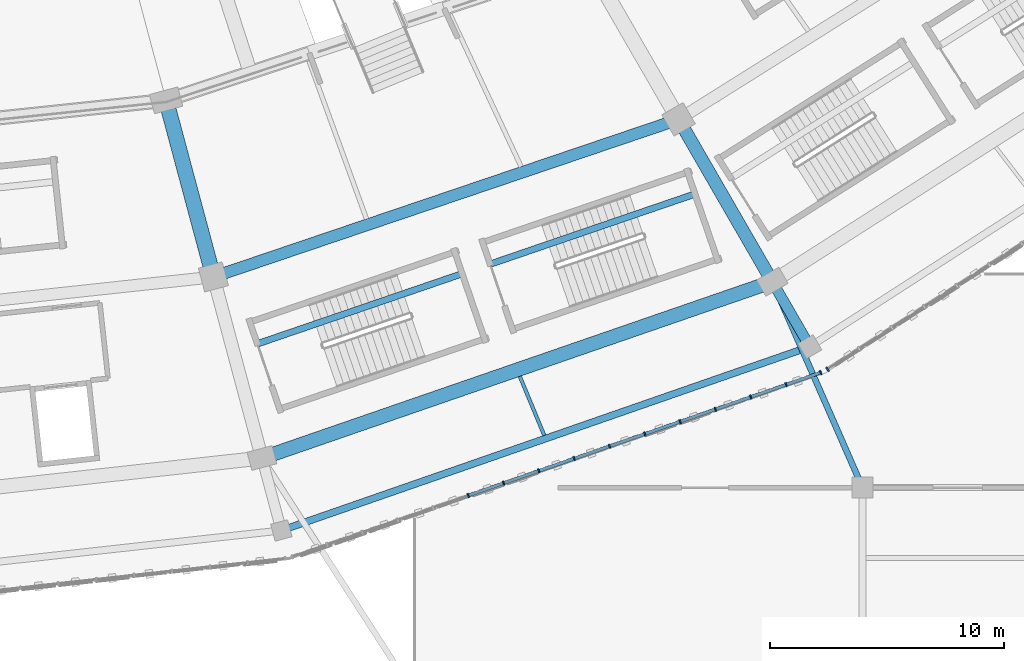
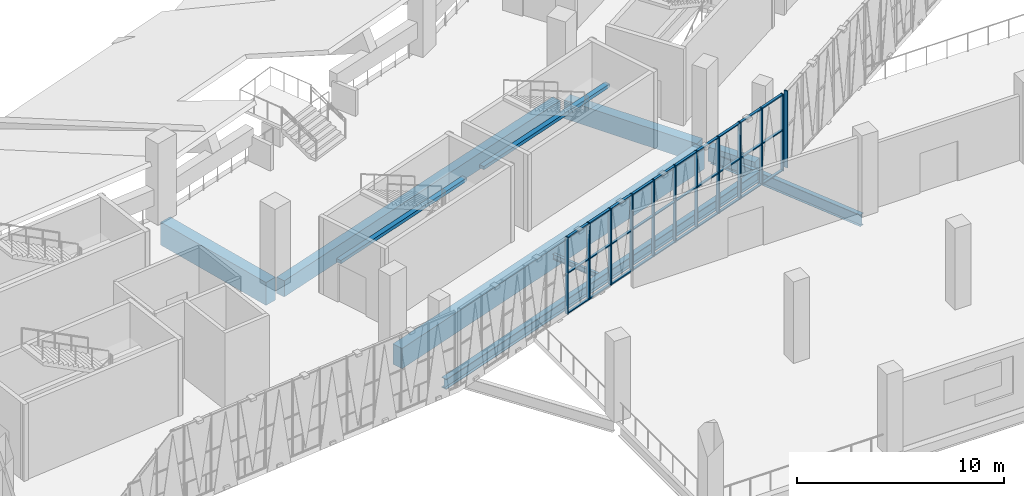
# One storey, part 28 of 183: 42 members, 10 beams, 2 elements without a shape of their own.
"""IFC4 building model written with IfcOpenShell, lengths in metres."""

from ifc_helpers import new_model, si_unit, direction, frame, origin, origin_2d, place, context, subcontext, project, spatial, rectangle, i_section, extrude, material, material_profile, profile_set, type_object, element, aggregate, save


model = new_model("IFC4")

# Units and contexts
model_context = context("Model", 3, precision=1e-05, world=origin(), true_north=direction((0.0, 1.0)))
body_context = subcontext(model_context, "Body", "Model", "MODEL_VIEW")
ifc_project = project(units=[si_unit("LENGTHUNIT", "METRE"), si_unit("AREAUNIT", "SQUARE_METRE"), si_unit("VOLUMEUNIT", "CUBIC_METRE"), si_unit("PLANEANGLEUNIT", "RADIAN"), si_unit("MASSUNIT", "GRAM", prefix="KILO")], contexts=[model_context])

# Site, building, storey
site_placement = place(None, origin())
site = spatial("IfcSite", under=ifc_project, at=site_placement, CompositionType="ELEMENT")
building_placement = place(site_placement, origin())
building = spatial("IfcBuilding", under=site, at=building_placement, Name="Zevraka Park Crest Stadium", CompositionType="ELEMENT")
storey_placement = place(building_placement, frame((0.0, 0.0, 5.39990234375)))
storey = spatial("IfcBuildingStorey", under=building, at=storey_placement, Name="L01", CompositionType="ELEMENT", Elevation=5.39990234375)

# Beams
ifc_material_1 = material(Name="Concrete C40/50", Category="concrete")
ifc_material_profile_1 = material_profile(ifc_material_1, rectangle(XDim=0.64990234375, YDim=1.35009765625, at=origin_2d()), Name="RC 1350x650")
ifc_profile_set_1 = profile_set([ifc_material_profile_1], Name="Concrete C40/50")
beam_type_1 = type_object("IfcBeamType", Name="BG01", PredefinedType="BEAM", material=ifc_profile_set_1)
beam_1_placement = place(storey_placement, frame((131.360107421875, 34.237060546875, -0.684814453125), z_axis=(0.258747385792, -0.965945024495, 0.0), x_axis=(0.965945024495, 0.258747385792, 0.0)))
element("IfcBeam", 1, at=beam_1_placement, inside=storey, type_object=beam_type_1, Name="Radial Girder BG01 L01-BC-19", PredefinedType="BEAM", context=body_context, shape_type="SweptSolid", body=[
    extrude(rectangle(XDim=0.64990234375, YDim=1.35009765625, at=origin_2d()), origin(), (0.0, 0.0, 1.0), 7.19921875),
])
ifc_material_2 = material(Name="Concrete C40/50", Category="concrete")
ifc_material_profile_2 = material_profile(ifc_material_2, rectangle(XDim=0.550048828125, YDim=1.10009765625, at=origin_2d()), Name="RC 1100x550")
ifc_profile_set_2 = profile_set([ifc_material_profile_2], Name="Concrete C40/50")
beam_type_2 = type_object("IfcBeamType", Name="BG02", PredefinedType="BEAM", material=ifc_profile_set_2)
beam_2_placement = place(storey_placement, frame((153.300048828125, 33.4560546875, -0.559814453125), z_axis=(0.500031859608, -0.86600700885, 0.0), x_axis=(0.86600700885, 0.500031859608, 0.0)))
element("IfcBeam", 2, at=beam_2_placement, inside=storey, type_object=beam_type_2, Name="Radial Girder BG02 L01-CD-20", PredefinedType="BEAM", context=body_context, shape_type="SweptSolid", body=[
    extrude(rectangle(XDim=0.550048828125, YDim=1.10009765625, at=origin_2d()), origin(), (0.0, 0.0, 1.0), 7.3994140625),
])
ifc_material_3 = material(Name="Concrete C40/50", Category="concrete")
ifc_material_profile_3 = material_profile(ifc_material_3, rectangle(XDim=0.449951171875, YDim=0.85009765625, at=origin_2d()), Name="RC 850x450")
ifc_profile_set_3 = profile_set([ifc_material_profile_3], Name="Concrete C40/50")
beam_type_3 = type_object("IfcBeamType", Name="BG03", PredefinedType="BEAM", material=ifc_profile_set_3)
beam_3_placement = place(storey_placement, frame((157.300048828125, 26.528076171875, -0.434814453125), z_axis=(0.500128937424, -0.865950948929, 0.0), x_axis=(0.865950948929, 0.500128937424, 0.0)))
element("IfcBeam", 3, at=beam_3_placement, inside=storey, type_object=beam_type_3, Name="Radial Girder BG03 L01-DE-20", PredefinedType="BEAM", context=body_context, shape_type="SweptSolid", body=[
    extrude(rectangle(XDim=0.449951171875, YDim=0.85009765625, at=origin_2d()), origin(), (0.0, 0.0, 1.0), 2.599365234375),
])
ifc_material_4 = material(Name="Steel S355", Category="steel")
ifc_material_profile_4 = material_profile(ifc_material_4, i_section(OverallWidth=0.253662109375, OverallDepth=0.68359375, WebThickness=0.012451171875, FlangeThickness=0.01904296875, at=origin_2d()), Name="UKB 686x254x140")
ifc_profile_set_4 = profile_set([ifc_material_profile_4], Name="Steel S355")
beam_type_4 = type_object("IfcBeamType", Name="BG05", PredefinedType="BEAM", material=ifc_profile_set_4)
beam_4_placement = place(storey_placement, frame((160.919921875, 18.18310546875, -0.649658203125), z_axis=(-0.401335913167, 0.915930938883, 0.0), x_axis=(-0.915930938883, -0.401335913167, 0.0)))
element("IfcBeam", 4, at=beam_4_placement, inside=storey, type_object=beam_type_4, Name="Wing Link Girder BG05 L01-18/C", PredefinedType="BEAM", context=body_context, shape_type="SweptSolid", body=[
    extrude(i_section(OverallWidth=0.253662109375, OverallDepth=0.68359375, WebThickness=0.012451171875, FlangeThickness=0.01904296875, at=origin_2d()), origin(), (0.0, 0.0, 1.0), 9.0146484375),
])

# Curtain wall, members
ifc_material_5 = material(Name="Anodised architectural aluminium and laminated safety glass", Category="aluminium")
curtain_wall_type_1 = type_object("IfcCurtainWallType", Name="CW02", PredefinedType="NOTDEFINED", material=ifc_material_5)
curtain_wall_1_placement = place(storey_placement, origin())
curtain_wall_1 = element("IfcCurtainWall", 5, at=curtain_wall_1_placement, inside=storey, type_object=curtain_wall_type_1, Name="Unitised Ring Curtain Wall CW02 L01-19", PredefinedType="NOTDEFINED")
ifc_material_6 = material(Name="Anodised architectural aluminium", Category="aluminium")
ifc_material_profile_5 = material_profile(ifc_material_6, rectangle(XDim=0.179931640625, YDim=0.06494140625, at=origin_2d()), Name="ALU MULLION 180x65")
ifc_profile_set_5 = profile_set([ifc_material_profile_5], Name="Anodised architectural aluminium")
member_type_1 = type_object("IfcMemberType", Name="CM02", PredefinedType="MULLION", material=ifc_profile_set_5)
member_1_placement = place(storey_placement, frame((144.175048828125, 17.667236328125, 0.0), z_axis=(0.0, 0.0, 1.0), x_axis=(-0.329209289879, 0.944256979565, 0.0)))
member_1 = element("IfcMember", 6, at=member_1_placement, type_object=member_type_1, Name="CW02 mullion 6", PredefinedType="MULLION", context=body_context, shape_type="SweptSolid", body=[
    extrude(rectangle(XDim=0.179931640625, YDim=0.06494140625, at=origin_2d()), origin(), (0.0, 0.0, 1.0), 4.52001953125),
])
member_2_placement = place(storey_placement, frame((145.681640625, 18.192626953125, 0.0), z_axis=(0.0, 0.0, 1.0), x_axis=(-0.329209289879, 0.944256979565, 0.0)))
member_2 = element("IfcMember", 7, at=member_2_placement, type_object=member_type_1, Name="CW02 mullion 7", PredefinedType="MULLION", context=body_context, shape_type="SweptSolid", body=[
    extrude(rectangle(XDim=0.179931640625, YDim=0.06494140625, at=origin_2d()), origin(), (0.0, 0.0, 1.0), 4.52001953125),
])
member_3_placement = place(storey_placement, frame((147.188232421875, 18.7177734375, 0.0), z_axis=(0.0, 0.0, 1.0), x_axis=(-0.329209289879, 0.944256979565, 0.0)))
member_3 = element("IfcMember", 8, at=member_3_placement, type_object=member_type_1, Name="CW02 mullion 8", PredefinedType="MULLION", context=body_context, shape_type="SweptSolid", body=[
    extrude(rectangle(XDim=0.179931640625, YDim=0.06494140625, at=origin_2d()), origin(), (0.0, 0.0, 1.0), 4.52001953125),
])
member_4_placement = place(storey_placement, frame((148.69482421875, 19.2431640625, 0.0), z_axis=(0.0, 0.0, 1.0), x_axis=(-0.329209289879, 0.944256979565, 0.0)))
member_4 = element("IfcMember", 9, at=member_4_placement, type_object=member_type_1, Name="CW02 mullion 9", PredefinedType="MULLION", context=body_context, shape_type="SweptSolid", body=[
    extrude(rectangle(XDim=0.179931640625, YDim=0.06494140625, at=origin_2d()), origin(), (0.0, 0.0, 1.0), 4.52001953125),
])
member_5_placement = place(storey_placement, frame((150.201416015625, 19.768310546875, 0.0), z_axis=(0.0, 0.0, 1.0), x_axis=(-0.329209289879, 0.944256979565, 0.0)))
member_5 = element("IfcMember", 10, at=member_5_placement, type_object=member_type_1, Name="CW02 mullion 10", PredefinedType="MULLION", context=body_context, shape_type="SweptSolid", body=[
    extrude(rectangle(XDim=0.179931640625, YDim=0.06494140625, at=origin_2d()), origin(), (0.0, 0.0, 1.0), 4.52001953125),
])
member_6_placement = place(storey_placement, frame((151.7080078125, 20.293701171875, 0.0), z_axis=(0.0, 0.0, 1.0), x_axis=(-0.329209289879, 0.944256979565, 0.0)))
member_6 = element("IfcMember", 11, at=member_6_placement, type_object=member_type_1, Name="CW02 mullion 11", PredefinedType="MULLION", context=body_context, shape_type="SweptSolid", body=[
    extrude(rectangle(XDim=0.179931640625, YDim=0.06494140625, at=origin_2d()), origin(), (0.0, 0.0, 1.0), 4.52001953125),
])
member_7_placement = place(storey_placement, frame((153.214599609375, 20.81884765625, 0.0), z_axis=(0.0, 0.0, 1.0), x_axis=(-0.329209289879, 0.944256979565, 0.0)))
member_7 = element("IfcMember", 12, at=member_7_placement, type_object=member_type_1, Name="CW02 mullion 12", PredefinedType="MULLION", context=body_context, shape_type="SweptSolid", body=[
    extrude(rectangle(XDim=0.179931640625, YDim=0.06494140625, at=origin_2d()), origin(), (0.0, 0.0, 1.0), 4.52001953125),
])
member_8_placement = place(storey_placement, frame((154.72119140625, 21.34423828125, 0.0), z_axis=(0.0, 0.0, 1.0), x_axis=(-0.329209289879, 0.944256979565, 0.0)))
member_8 = element("IfcMember", 13, at=member_8_placement, type_object=member_type_1, Name="CW02 mullion 13", PredefinedType="MULLION", context=body_context, shape_type="SweptSolid", body=[
    extrude(rectangle(XDim=0.179931640625, YDim=0.06494140625, at=origin_2d()), origin(), (0.0, 0.0, 1.0), 4.52001953125),
])
member_9_placement = place(storey_placement, frame((156.227783203125, 21.869384765625, 0.0), z_axis=(0.0, 0.0, 1.0), x_axis=(-0.329209289879, 0.944256979565, 0.0)))
member_9 = element("IfcMember", 14, at=member_9_placement, type_object=member_type_1, Name="CW02 mullion 14", PredefinedType="MULLION", context=body_context, shape_type="SweptSolid", body=[
    extrude(rectangle(XDim=0.179931640625, YDim=0.06494140625, at=origin_2d()), origin(), (0.0, 0.0, 1.0), 4.52001953125),
])
member_10_placement = place(storey_placement, frame((157.734375, 22.394775390625, 0.0), z_axis=(0.0, 0.0, 1.0), x_axis=(-0.329209289879, 0.944256979565, 0.0)))
member_10 = element("IfcMember", 15, at=member_10_placement, type_object=member_type_1, Name="CW02 mullion 15", PredefinedType="MULLION", context=body_context, shape_type="SweptSolid", body=[
    extrude(rectangle(XDim=0.179931640625, YDim=0.06494140625, at=origin_2d()), origin(), (0.0, 0.0, 1.0), 4.52001953125),
])
member_11_placement = place(storey_placement, frame((159.210205078125, 22.9091796875, 0.0), z_axis=(0.0, 0.0, 1.0), x_axis=(-0.329209289879, 0.944256979565, 0.0)))
member_11 = element("IfcMember", 16, at=member_11_placement, type_object=member_type_1, Name="CW02 mullion 16", PredefinedType="MULLION", context=body_context, shape_type="SweptSolid", body=[
    extrude(rectangle(XDim=0.179931640625, YDim=0.06494140625, at=origin_2d()), origin(), (0.0, 0.0, 1.0), 4.52001953125),
])

# Curtain wall, member
ifc_material_7 = material(Name="Anodised architectural aluminium and laminated safety glass", Category="aluminium")
curtain_wall_type_2 = type_object("IfcCurtainWallType", Name="CW03", PredefinedType="NOTDEFINED", material=ifc_material_7)
curtain_wall_2_placement = place(storey_placement, origin())
curtain_wall_2 = element("IfcCurtainWall", 17, at=curtain_wall_2_placement, inside=storey, type_object=curtain_wall_type_2, Name="Unitised Ring Curtain Wall CW03 L01-20", PredefinedType="NOTDEFINED")
ifc_material_8 = material(Name="Anodised architectural aluminium", Category="aluminium")
ifc_material_profile_6 = material_profile(ifc_material_8, rectangle(XDim=0.199951171875, YDim=0.070068359375, at=origin_2d()), Name="ALU MULLION 200x70")
ifc_profile_set_6 = profile_set([ifc_material_profile_6], Name="Anodised architectural aluminium")
member_type_2 = type_object("IfcMemberType", Name="CM03", PredefinedType="MULLION", material=ifc_profile_set_6)
member_12_placement = place(storey_placement, frame((159.50341796875, 23.052978515625, 0.0), z_axis=(0.0, 0.0, 1.0), x_axis=(-0.542570628938, 0.840010186018, 0.0)))
member_12 = element("IfcMember", 18, at=member_12_placement, type_object=member_type_2, Name="CW03 mullion 1", PredefinedType="MULLION", context=body_context, shape_type="SweptSolid", body=[
    extrude(rectangle(XDim=0.199951171875, YDim=0.070068359375, at=origin_2d()), origin(), (0.0, 0.0, 1.0), 4.52001953125),
])
aggregate(curtain_wall_2, [member_12])

# Member
ifc_material_9 = material(Name="Anodised architectural aluminium", Category="aluminium")
ifc_material_profile_7 = material_profile(ifc_material_9, rectangle(XDim=0.139892578125, YDim=0.06494140625, at=origin_2d()), Name="ALU TRANSOM 140x65")
ifc_profile_set_7 = profile_set([ifc_material_profile_7], Name="Anodised architectural aluminium")
member_type_3 = type_object("IfcMemberType", Name="CT02", PredefinedType="USERDEFINED", material=ifc_profile_set_7)
member_13_placement = place(storey_placement, frame((144.20556640625, 17.677978515625, 0.03271484375), z_axis=(0.944255540278, 0.329213418097, 0.0), x_axis=(-0.329213418097, 0.944255540278, 0.0)))
member_13 = element("IfcMember", 19, at=member_13_placement, type_object=member_type_3, Name="CW02 transom 6.1", ObjectType="TRANSOM", PredefinedType="USERDEFINED", context=body_context, shape_type="SweptSolid", body=[
    extrude(rectangle(XDim=0.139892578125, YDim=0.06494140625, at=origin_2d()), origin(), (0.0, 0.0, 1.0), 1.530517578125),
])

member_14_placement = place(storey_placement, frame((144.20556640625, 17.677978515625, 2.400146484375), z_axis=(0.944255540278, 0.329213418097, 0.0), x_axis=(-0.329213418097, 0.944255540278, 0.0)))
member_14 = element("IfcMember", 20, at=member_14_placement, type_object=member_type_3, Name="CW02 transom 6.2", ObjectType="TRANSOM", PredefinedType="USERDEFINED", context=body_context, shape_type="SweptSolid", body=[
    extrude(rectangle(XDim=0.139892578125, YDim=0.06494140625, at=origin_2d()), origin(), (0.0, 0.0, 1.0), 1.530517578125),
])

member_15_placement = place(storey_placement, frame((144.20556640625, 17.677978515625, 4.487548828125), z_axis=(0.944255540278, 0.329213418097, 0.0), x_axis=(-0.329213418097, 0.944255540278, 0.0)))
member_15 = element("IfcMember", 21, at=member_15_placement, type_object=member_type_3, Name="CW02 transom 6.3", ObjectType="TRANSOM", PredefinedType="USERDEFINED", context=body_context, shape_type="SweptSolid", body=[
    extrude(rectangle(XDim=0.139892578125, YDim=0.06494140625, at=origin_2d()), origin(), (0.0, 0.0, 1.0), 1.530517578125),
])

member_16_placement = place(storey_placement, frame((145.71240234375, 18.203369140625, 0.03271484375), z_axis=(0.944238249242, 0.329263008352, 0.0), x_axis=(-0.329263008352, 0.944238249242, 0.0)))
member_16 = element("IfcMember", 22, at=member_16_placement, type_object=member_type_3, Name="CW02 transom 7.1", ObjectType="TRANSOM", PredefinedType="USERDEFINED", context=body_context, shape_type="SweptSolid", body=[
    extrude(rectangle(XDim=0.139892578125, YDim=0.06494140625, at=origin_2d()), origin(), (0.0, 0.0, 1.0), 1.530517578125),
])

member_17_placement = place(storey_placement, frame((145.71240234375, 18.203369140625, 2.400146484375), z_axis=(0.944238249242, 0.329263008352, 0.0), x_axis=(-0.329263008352, 0.944238249242, 0.0)))
member_17 = element("IfcMember", 23, at=member_17_placement, type_object=member_type_3, Name="CW02 transom 7.2", ObjectType="TRANSOM", PredefinedType="USERDEFINED", context=body_context, shape_type="SweptSolid", body=[
    extrude(rectangle(XDim=0.139892578125, YDim=0.06494140625, at=origin_2d()), origin(), (0.0, 0.0, 1.0), 1.530517578125),
])

member_18_placement = place(storey_placement, frame((145.71240234375, 18.203369140625, 4.487548828125), z_axis=(0.944238249242, 0.329263008352, 0.0), x_axis=(-0.329263008352, 0.944238249242, 0.0)))
member_18 = element("IfcMember", 24, at=member_18_placement, type_object=member_type_3, Name="CW02 transom 7.3", ObjectType="TRANSOM", PredefinedType="USERDEFINED", context=body_context, shape_type="SweptSolid", body=[
    extrude(rectangle(XDim=0.139892578125, YDim=0.06494140625, at=origin_2d()), origin(), (0.0, 0.0, 1.0), 1.530517578125),
])

member_19_placement = place(storey_placement, frame((147.218994140625, 18.728515625, 0.03271484375), z_axis=(0.944238249242, 0.329263008352, 0.0), x_axis=(-0.329263008352, 0.944238249242, 0.0)))
member_19 = element("IfcMember", 25, at=member_19_placement, type_object=member_type_3, Name="CW02 transom 8.1", ObjectType="TRANSOM", PredefinedType="USERDEFINED", context=body_context, shape_type="SweptSolid", body=[
    extrude(rectangle(XDim=0.139892578125, YDim=0.06494140625, at=origin_2d()), origin(), (0.0, 0.0, 1.0), 1.530517578125),
])

member_20_placement = place(storey_placement, frame((147.218994140625, 18.728515625, 2.400146484375), z_axis=(0.944238249242, 0.329263008352, 0.0), x_axis=(-0.329263008352, 0.944238249242, 0.0)))
member_20 = element("IfcMember", 26, at=member_20_placement, type_object=member_type_3, Name="CW02 transom 8.2", ObjectType="TRANSOM", PredefinedType="USERDEFINED", context=body_context, shape_type="SweptSolid", body=[
    extrude(rectangle(XDim=0.139892578125, YDim=0.06494140625, at=origin_2d()), origin(), (0.0, 0.0, 1.0), 1.530517578125),
])

member_21_placement = place(storey_placement, frame((147.218994140625, 18.728515625, 4.487548828125), z_axis=(0.944238249242, 0.329263008352, 0.0), x_axis=(-0.329263008352, 0.944238249242, 0.0)))
member_21 = element("IfcMember", 27, at=member_21_placement, type_object=member_type_3, Name="CW02 transom 8.3", ObjectType="TRANSOM", PredefinedType="USERDEFINED", context=body_context, shape_type="SweptSolid", body=[
    extrude(rectangle(XDim=0.139892578125, YDim=0.06494140625, at=origin_2d()), origin(), (0.0, 0.0, 1.0), 1.530517578125),
])

member_22_placement = place(storey_placement, frame((148.7255859375, 19.25390625, 0.03271484375), z_axis=(0.944238249242, 0.329263008352, 0.0), x_axis=(-0.329263008352, 0.944238249242, 0.0)))
member_22 = element("IfcMember", 28, at=member_22_placement, type_object=member_type_3, Name="CW02 transom 9.1", ObjectType="TRANSOM", PredefinedType="USERDEFINED", context=body_context, shape_type="SweptSolid", body=[
    extrude(rectangle(XDim=0.139892578125, YDim=0.06494140625, at=origin_2d()), origin(), (0.0, 0.0, 1.0), 1.530517578125),
])

member_23_placement = place(storey_placement, frame((148.7255859375, 19.25390625, 2.400146484375), z_axis=(0.944238249242, 0.329263008352, 0.0), x_axis=(-0.329263008352, 0.944238249242, 0.0)))
member_23 = element("IfcMember", 29, at=member_23_placement, type_object=member_type_3, Name="CW02 transom 9.2", ObjectType="TRANSOM", PredefinedType="USERDEFINED", context=body_context, shape_type="SweptSolid", body=[
    extrude(rectangle(XDim=0.139892578125, YDim=0.06494140625, at=origin_2d()), origin(), (0.0, 0.0, 1.0), 1.530517578125),
])

member_24_placement = place(storey_placement, frame((148.7255859375, 19.25390625, 4.487548828125), z_axis=(0.944238249242, 0.329263008352, 0.0), x_axis=(-0.329263008352, 0.944238249242, 0.0)))
member_24 = element("IfcMember", 30, at=member_24_placement, type_object=member_type_3, Name="CW02 transom 9.3", ObjectType="TRANSOM", PredefinedType="USERDEFINED", context=body_context, shape_type="SweptSolid", body=[
    extrude(rectangle(XDim=0.139892578125, YDim=0.06494140625, at=origin_2d()), origin(), (0.0, 0.0, 1.0), 1.530517578125),
])

member_25_placement = place(storey_placement, frame((150.232177734375, 19.779052734375, 0.03271484375), z_axis=(0.944238249242, 0.329263008352, 0.0), x_axis=(-0.329263008352, 0.944238249242, 0.0)))
member_25 = element("IfcMember", 31, at=member_25_placement, type_object=member_type_3, Name="CW02 transom 10.1", ObjectType="TRANSOM", PredefinedType="USERDEFINED", context=body_context, shape_type="SweptSolid", body=[
    extrude(rectangle(XDim=0.139892578125, YDim=0.06494140625, at=origin_2d()), origin(), (0.0, 0.0, 1.0), 1.530517578125),
])

member_26_placement = place(storey_placement, frame((150.232177734375, 19.779052734375, 2.400146484375), z_axis=(0.944238249242, 0.329263008352, 0.0), x_axis=(-0.329263008352, 0.944238249242, 0.0)))
member_26 = element("IfcMember", 32, at=member_26_placement, type_object=member_type_3, Name="CW02 transom 10.2", ObjectType="TRANSOM", PredefinedType="USERDEFINED", context=body_context, shape_type="SweptSolid", body=[
    extrude(rectangle(XDim=0.139892578125, YDim=0.06494140625, at=origin_2d()), origin(), (0.0, 0.0, 1.0), 1.530517578125),
])

member_27_placement = place(storey_placement, frame((150.232177734375, 19.779052734375, 4.487548828125), z_axis=(0.944238249242, 0.329263008352, 0.0), x_axis=(-0.329263008352, 0.944238249242, 0.0)))
member_27 = element("IfcMember", 33, at=member_27_placement, type_object=member_type_3, Name="CW02 transom 10.3", ObjectType="TRANSOM", PredefinedType="USERDEFINED", context=body_context, shape_type="SweptSolid", body=[
    extrude(rectangle(XDim=0.139892578125, YDim=0.06494140625, at=origin_2d()), origin(), (0.0, 0.0, 1.0), 1.530517578125),
])

member_28_placement = place(storey_placement, frame((151.73876953125, 20.304443359375, 0.03271484375), z_axis=(0.944238249242, 0.329263008352, 0.0), x_axis=(-0.329263008352, 0.944238249242, 0.0)))
member_28 = element("IfcMember", 34, at=member_28_placement, type_object=member_type_3, Name="CW02 transom 11.1", ObjectType="TRANSOM", PredefinedType="USERDEFINED", context=body_context, shape_type="SweptSolid", body=[
    extrude(rectangle(XDim=0.139892578125, YDim=0.06494140625, at=origin_2d()), origin(), (0.0, 0.0, 1.0), 1.530517578125),
])

member_29_placement = place(storey_placement, frame((151.73876953125, 20.304443359375, 2.400146484375), z_axis=(0.944238249242, 0.329263008352, 0.0), x_axis=(-0.329263008352, 0.944238249242, 0.0)))
member_29 = element("IfcMember", 35, at=member_29_placement, type_object=member_type_3, Name="CW02 transom 11.2", ObjectType="TRANSOM", PredefinedType="USERDEFINED", context=body_context, shape_type="SweptSolid", body=[
    extrude(rectangle(XDim=0.139892578125, YDim=0.06494140625, at=origin_2d()), origin(), (0.0, 0.0, 1.0), 1.530517578125),
])

member_30_placement = place(storey_placement, frame((151.73876953125, 20.304443359375, 4.487548828125), z_axis=(0.944238249242, 0.329263008352, 0.0), x_axis=(-0.329263008352, 0.944238249242, 0.0)))
member_30 = element("IfcMember", 36, at=member_30_placement, type_object=member_type_3, Name="CW02 transom 11.3", ObjectType="TRANSOM", PredefinedType="USERDEFINED", context=body_context, shape_type="SweptSolid", body=[
    extrude(rectangle(XDim=0.139892578125, YDim=0.06494140625, at=origin_2d()), origin(), (0.0, 0.0, 1.0), 1.530517578125),
])

member_31_placement = place(storey_placement, frame((153.245361328125, 20.82958984375, 0.03271484375), z_axis=(0.944238249242, 0.329263008352, 0.0), x_axis=(-0.329263008352, 0.944238249242, 0.0)))
member_31 = element("IfcMember", 37, at=member_31_placement, type_object=member_type_3, Name="CW02 transom 12.1", ObjectType="TRANSOM", PredefinedType="USERDEFINED", context=body_context, shape_type="SweptSolid", body=[
    extrude(rectangle(XDim=0.139892578125, YDim=0.06494140625, at=origin_2d()), origin(), (0.0, 0.0, 1.0), 1.530517578125),
])

member_32_placement = place(storey_placement, frame((153.245361328125, 20.82958984375, 2.400146484375), z_axis=(0.944238249242, 0.329263008352, 0.0), x_axis=(-0.329263008352, 0.944238249242, 0.0)))
member_32 = element("IfcMember", 38, at=member_32_placement, type_object=member_type_3, Name="CW02 transom 12.2", ObjectType="TRANSOM", PredefinedType="USERDEFINED", context=body_context, shape_type="SweptSolid", body=[
    extrude(rectangle(XDim=0.139892578125, YDim=0.06494140625, at=origin_2d()), origin(), (0.0, 0.0, 1.0), 1.530517578125),
])

member_33_placement = place(storey_placement, frame((153.245361328125, 20.82958984375, 4.487548828125), z_axis=(0.944238249242, 0.329263008352, 0.0), x_axis=(-0.329263008352, 0.944238249242, 0.0)))
member_33 = element("IfcMember", 39, at=member_33_placement, type_object=member_type_3, Name="CW02 transom 12.3", ObjectType="TRANSOM", PredefinedType="USERDEFINED", context=body_context, shape_type="SweptSolid", body=[
    extrude(rectangle(XDim=0.139892578125, YDim=0.06494140625, at=origin_2d()), origin(), (0.0, 0.0, 1.0), 1.530517578125),
])

member_34_placement = place(storey_placement, frame((154.751953125, 21.35498046875, 0.03271484375), z_axis=(0.944238249242, 0.329263008352, 0.0), x_axis=(-0.329263008352, 0.944238249242, 0.0)))
member_34 = element("IfcMember", 40, at=member_34_placement, type_object=member_type_3, Name="CW02 transom 13.1", ObjectType="TRANSOM", PredefinedType="USERDEFINED", context=body_context, shape_type="SweptSolid", body=[
    extrude(rectangle(XDim=0.139892578125, YDim=0.06494140625, at=origin_2d()), origin(), (0.0, 0.0, 1.0), 1.530517578125),
])

member_35_placement = place(storey_placement, frame((154.751953125, 21.35498046875, 2.400146484375), z_axis=(0.944238249242, 0.329263008352, 0.0), x_axis=(-0.329263008352, 0.944238249242, 0.0)))
member_35 = element("IfcMember", 41, at=member_35_placement, type_object=member_type_3, Name="CW02 transom 13.2", ObjectType="TRANSOM", PredefinedType="USERDEFINED", context=body_context, shape_type="SweptSolid", body=[
    extrude(rectangle(XDim=0.139892578125, YDim=0.06494140625, at=origin_2d()), origin(), (0.0, 0.0, 1.0), 1.530517578125),
])

member_36_placement = place(storey_placement, frame((154.751953125, 21.35498046875, 4.487548828125), z_axis=(0.944238249242, 0.329263008352, 0.0), x_axis=(-0.329263008352, 0.944238249242, 0.0)))
member_36 = element("IfcMember", 42, at=member_36_placement, type_object=member_type_3, Name="CW02 transom 13.3", ObjectType="TRANSOM", PredefinedType="USERDEFINED", context=body_context, shape_type="SweptSolid", body=[
    extrude(rectangle(XDim=0.139892578125, YDim=0.06494140625, at=origin_2d()), origin(), (0.0, 0.0, 1.0), 1.530517578125),
])

member_37_placement = place(storey_placement, frame((156.258544921875, 21.880126953125, 0.03271484375), z_axis=(0.944238249242, 0.329263008352, 0.0), x_axis=(-0.329263008352, 0.944238249242, 0.0)))
member_37 = element("IfcMember", 43, at=member_37_placement, type_object=member_type_3, Name="CW02 transom 14.1", ObjectType="TRANSOM", PredefinedType="USERDEFINED", context=body_context, shape_type="SweptSolid", body=[
    extrude(rectangle(XDim=0.139892578125, YDim=0.06494140625, at=origin_2d()), origin(), (0.0, 0.0, 1.0), 1.530517578125),
])

member_38_placement = place(storey_placement, frame((156.258544921875, 21.880126953125, 2.400146484375), z_axis=(0.944238249242, 0.329263008352, 0.0), x_axis=(-0.329263008352, 0.944238249242, 0.0)))
member_38 = element("IfcMember", 44, at=member_38_placement, type_object=member_type_3, Name="CW02 transom 14.2", ObjectType="TRANSOM", PredefinedType="USERDEFINED", context=body_context, shape_type="SweptSolid", body=[
    extrude(rectangle(XDim=0.139892578125, YDim=0.06494140625, at=origin_2d()), origin(), (0.0, 0.0, 1.0), 1.530517578125),
])

member_39_placement = place(storey_placement, frame((156.258544921875, 21.880126953125, 4.487548828125), z_axis=(0.944238249242, 0.329263008352, 0.0), x_axis=(-0.329263008352, 0.944238249242, 0.0)))
member_39 = element("IfcMember", 45, at=member_39_placement, type_object=member_type_3, Name="CW02 transom 14.3", ObjectType="TRANSOM", PredefinedType="USERDEFINED", context=body_context, shape_type="SweptSolid", body=[
    extrude(rectangle(XDim=0.139892578125, YDim=0.06494140625, at=origin_2d()), origin(), (0.0, 0.0, 1.0), 1.530517578125),
])

member_40_placement = place(storey_placement, frame((157.76513671875, 22.405517578125, 0.03271484375), z_axis=(0.944259100234, 0.329203207192, 0.0), x_axis=(-0.329203207192, 0.944259100234, 0.0)))
member_40 = element("IfcMember", 46, at=member_40_placement, type_object=member_type_3, Name="CW02 transom 15.1", ObjectType="TRANSOM", PredefinedType="USERDEFINED", context=body_context, shape_type="SweptSolid", body=[
    extrude(rectangle(XDim=0.139892578125, YDim=0.06494140625, at=origin_2d()), origin(), (0.0, 0.0, 1.0), 1.498046875),
])

member_41_placement = place(storey_placement, frame((157.76513671875, 22.405517578125, 2.400146484375), z_axis=(0.944259100234, 0.329203207192, 0.0), x_axis=(-0.329203207192, 0.944259100234, 0.0)))
member_41 = element("IfcMember", 47, at=member_41_placement, type_object=member_type_3, Name="CW02 transom 15.2", ObjectType="TRANSOM", PredefinedType="USERDEFINED", context=body_context, shape_type="SweptSolid", body=[
    extrude(rectangle(XDim=0.139892578125, YDim=0.06494140625, at=origin_2d()), origin(), (0.0, 0.0, 1.0), 1.498046875),
])

member_42_placement = place(storey_placement, frame((157.76513671875, 22.405517578125, 4.487548828125), z_axis=(0.944259100234, 0.329203207192, 0.0), x_axis=(-0.329203207192, 0.944259100234, 0.0)))
member_42 = element("IfcMember", 48, at=member_42_placement, type_object=member_type_3, Name="CW02 transom 15.3", ObjectType="TRANSOM", PredefinedType="USERDEFINED", context=body_context, shape_type="SweptSolid", body=[
    extrude(rectangle(XDim=0.139892578125, YDim=0.06494140625, at=origin_2d()), origin(), (0.0, 0.0, 1.0), 1.498046875),
])

aggregate(curtain_wall_1, [member_1, member_2, member_3, member_4, member_5, member_6, member_7, member_8, member_9, member_10, member_11, member_13, member_14, member_15, member_16, member_17, member_18, member_19, member_20, member_21, member_22, member_23, member_24, member_25, member_26, member_27, member_28, member_29, member_30, member_31, member_32, member_33, member_34, member_35, member_36, member_37, member_38, member_39, member_40, member_41, member_42])

# Beams
ifc_material_10 = material(Name="Concrete C40/50", Category="concrete")
ifc_material_profile_8 = material_profile(ifc_material_10, rectangle(XDim=0.60009765625, YDim=1.199951171875, at=origin_2d()), Name="RC 1200x600")
ifc_profile_set_8 = profile_set([ifc_material_profile_8], Name="Concrete C40/50")
beam_type_5 = type_object("IfcBeamType", Name="RB01", PredefinedType="BEAM", material=ifc_profile_set_8)
beam_5_placement = place(storey_placement, frame((135.72998046875, 19.389892578125, -0.60986328125), z_axis=(0.945210431582, 0.326461697644, 0.0), x_axis=(-0.326461697644, 0.945210431582, 0.0)))
element("IfcBeam", 49, at=beam_5_placement, inside=storey, type_object=beam_type_5, Name="Ring Beam RB01 L01-D-19", PredefinedType="BEAM", context=body_context, shape_type="SweptSolid", body=[
    extrude(rectangle(XDim=0.60009765625, YDim=1.199951171875, at=origin_2d()), origin(), (0.0, 0.0, 1.0), 22.28173828125),
])
ifc_material_11 = material(Name="Concrete C40/50", Category="concrete")
ifc_material_profile_9 = material_profile(ifc_material_11, rectangle(XDim=0.5, YDim=0.949951171875, at=origin_2d()), Name="RC 950x500")
ifc_profile_set_9 = profile_set([ifc_material_profile_9], Name="Concrete C40/50")
beam_type_6 = type_object("IfcBeamType", Name="RB02", PredefinedType="BEAM", material=ifc_profile_set_9)
beam_6_placement = place(storey_placement, frame((133.660888671875, 27.114990234375, -0.48486328125), z_axis=(0.947147952377, 0.320797064058, 0.0), x_axis=(-0.320797064058, 0.947147952377, 0.0)))
element("IfcBeam", 50, at=beam_6_placement, inside=storey, type_object=beam_type_6, Name="Ring Beam RB02 L01-C-19", PredefinedType="BEAM", context=body_context, shape_type="SweptSolid", body=[
    extrude(rectangle(XDim=0.5, YDim=0.949951171875, at=origin_2d()), origin(), (0.0, 0.0, 1.0), 20.196533203125),
])
ifc_material_12 = material(Name="Steel S355", Category="steel")
ifc_material_profile_10 = material_profile(ifc_material_12, i_section(OverallWidth=0.300048828125, OverallDepth=0.60009765625, WebThickness=0.015380859375, FlangeThickness=0.030029296875, at=origin_2d()), Name="HEB 600")
ifc_profile_set_10 = profile_set([ifc_material_profile_10], Name="Steel S355")
beam_type_7 = type_object("IfcBeamType", Name="RB03", PredefinedType="BEAM", material=ifc_profile_set_10)
beam_7_placement = place(storey_placement, frame((136.531005859375, 16.2900390625, -0.60498046875), z_axis=(0.944512003331, 0.328476902634, 0.0), x_axis=(-0.328476902634, 0.944512003331, 0.0)))
element("IfcBeam", 51, at=beam_7_placement, inside=storey, type_object=beam_type_7, Name="Ring Beam RB03 L01-E-19", PredefinedType="BEAM", context=body_context, shape_type="SweptSolid", body=[
    extrude(i_section(OverallWidth=0.300048828125, OverallDepth=0.60009765625, WebThickness=0.015380859375, FlangeThickness=0.030029296875, at=origin_2d()), origin(), (0.0, 0.0, 1.0), 23.173828125),
])
ifc_material_13 = material(Name="Steel S355", Category="steel")
ifc_material_profile_11 = material_profile(ifc_material_13, i_section(OverallWidth=0.14990234375, OverallDepth=0.300048828125, WebThickness=0.007080078125, FlangeThickness=0.0107421875, at=origin_2d()), Name="IPE 300")
ifc_profile_set_11 = profile_set([ifc_material_profile_11], Name="Steel S355")
beam_type_8 = type_object("IfcBeamType", Name="SJ01", PredefinedType="JOIST", material=ifc_profile_set_11)
beam_8_placement = place(storey_placement, frame((146.373046875, 22.75390625, -0.4580078125), z_axis=(0.3828253139, -0.923820750491, 0.0), x_axis=(0.923820750491, 0.3828253139, 0.0)))
element("IfcBeam", 52, at=beam_8_placement, inside=storey, type_object=beam_type_8, Name="Floor Joist SJ01 L01-DE-19-1", PredefinedType="JOIST", context=body_context, shape_type="SweptSolid", body=[
    extrude(i_section(OverallWidth=0.14990234375, OverallDepth=0.300048828125, WebThickness=0.007080078125, FlangeThickness=0.0107421875, at=origin_2d()), origin(), (0.0, 0.0, 1.0), 2.73193359375),
])
ifc_material_14 = material(Name="Concrete C40/50", Category="concrete")
ifc_material_profile_12 = material_profile(ifc_material_14, rectangle(XDim=0.280029296875, YDim=0.199951171875, at=origin_2d()), Name="RC 200x280")
ifc_profile_set_12 = profile_set([ifc_material_profile_12], Name="Concrete C40/50")
beam_type_9 = type_object("IfcBeamType", Name="SJ13", PredefinedType="JOIST", material=ifc_profile_set_12)
beam_9_placement = place(storey_placement, frame((135.19677734375, 24.144287109375, 2.300048828125), z_axis=(0.946065027556, 0.323976794902, 0.0), x_axis=(-0.323976794902, 0.946065027556, 0.0)))
element("IfcBeam", 53, at=beam_9_placement, inside=storey, type_object=beam_type_9, Name="Stair Upper-Flight Longitudinal Stringer SJ13 ST20-L01", PredefinedType="JOIST", context=body_context, shape_type="SweptSolid", body=[
    extrude(rectangle(XDim=0.280029296875, YDim=0.199951171875, at=origin_2d()), origin(), (0.0, 0.0, 1.0), 9.250244140625),
])
beam_10_placement = place(storey_placement, frame((145.130859375, 27.54541015625, 2.300048828125), z_axis=(0.946070346954, 0.323961260978, 0.0), x_axis=(-0.323961260978, 0.946070346954, 0.0)))
element("IfcBeam", 54, at=beam_10_placement, inside=storey, type_object=beam_type_9, Name="Stair Upper-Flight Longitudinal Stringer SJ13 ST31-L01", PredefinedType="JOIST", context=body_context, shape_type="SweptSolid", body=[
    extrude(rectangle(XDim=0.280029296875, YDim=0.199951171875, at=origin_2d()), origin(), (0.0, 0.0, 1.0), 9.249755859375),
])

save(model, "model.ifc")
